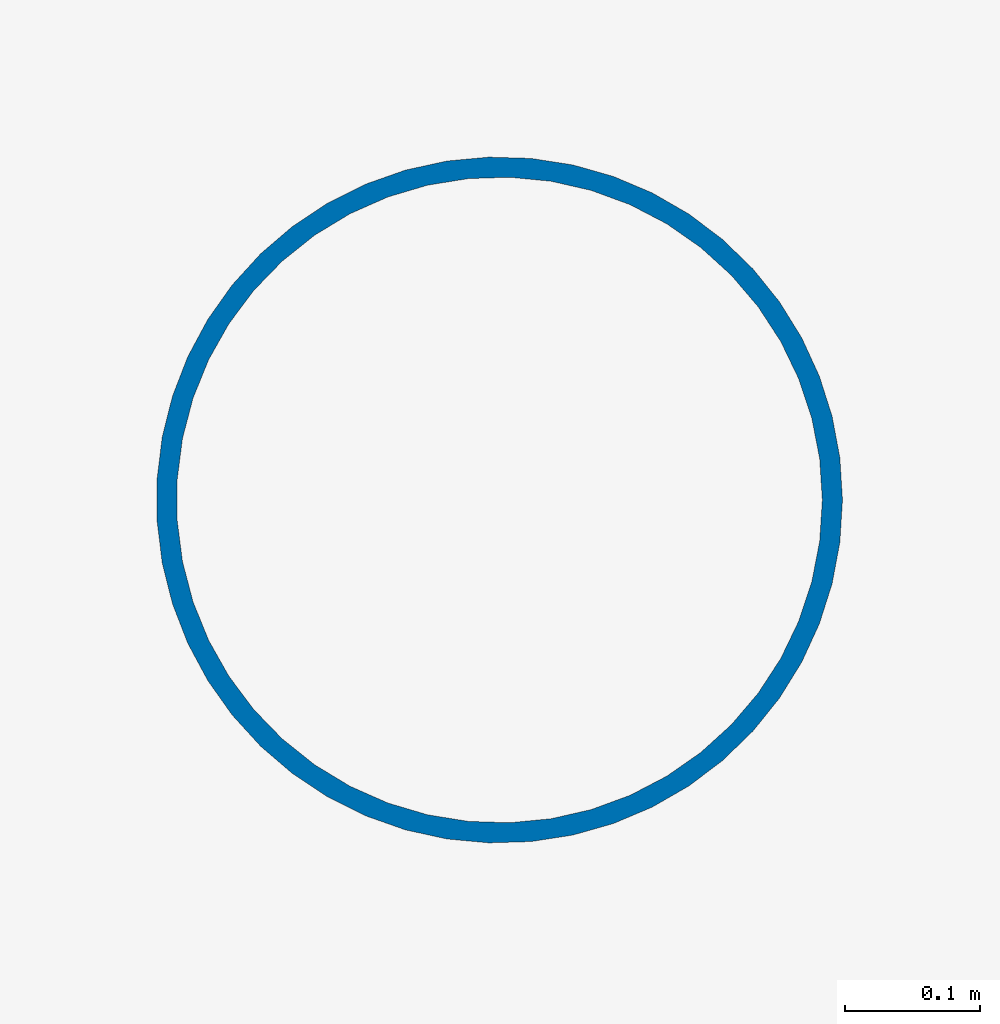
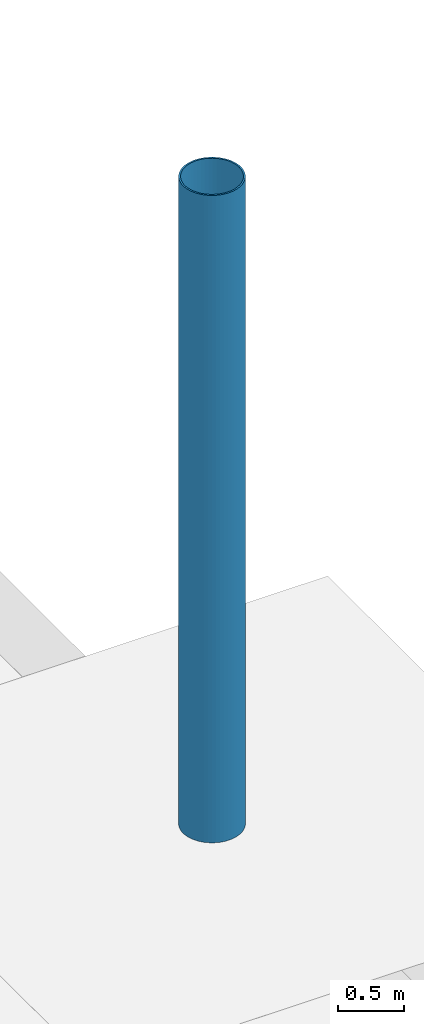
# One storey, part 24 of 82: 1 column.
"""IFC4 building model written with IfcOpenShell, lengths in metres."""

from ifc_helpers import new_model, si_unit, direction, frame, origin, origin_2d, place, context, subcontext, project, spatial, hollow_circle, extrude, material, material_profile, profile_set, type_object, element, save


model = new_model("IFC4")

# Units and contexts
model_context = context("Model", 3, precision=1e-05, world=origin(), true_north=direction((0.0, 1.0)))
body_context = subcontext(model_context, "Body", "Model", "MODEL_VIEW")
ifc_project = project(units=[si_unit("LENGTHUNIT", "METRE"), si_unit("AREAUNIT", "SQUARE_METRE"), si_unit("VOLUMEUNIT", "CUBIC_METRE"), si_unit("PLANEANGLEUNIT", "RADIAN"), si_unit("MASSUNIT", "GRAM", prefix="KILO")], contexts=[model_context])

# Site, building, storey
site_placement = place(None, origin())
site = spatial("IfcSite", under=ifc_project, at=site_placement, CompositionType="ELEMENT")
building_placement = place(site_placement, origin())
building = spatial("IfcBuilding", under=site, at=building_placement, Name="Drelvath Fold Interchange", CompositionType="ELEMENT")
storey_placement = place(building_placement, origin())
storey = spatial("IfcBuildingStorey", under=building, at=storey_placement, Name="L00", CompositionType="ELEMENT", Elevation=0.0)

# Column
ifc_material = material(Name="Steel ASTM A500 Grade C", Category="steel")
ifc_material_profile = material_profile(ifc_material, hollow_circle(Radius=0.25390625, WallThickness=0.014892578125, at=origin_2d()), Name="HSS20.000X0.625")
ifc_profile_set = profile_set([ifc_material_profile], Name="Steel ASTM A500 Grade C")
column_type = type_object("IfcColumnType", Name="COL-CFT508", PredefinedType="COLUMN", material=ifc_profile_set)
column_placement = place(storey_placement, frame((174.0, 67.0, 0.0), z_axis=(0.0, 0.0, 1.0), x_axis=(1.0, 0.0, 0.0)))
element("IfcColumn", 1, at=column_placement, inside=storey, type_object=column_type, Name="L00 column (174,67)", PredefinedType="COLUMN", context=body_context, shape_type="SweptSolid", body=[
    extrude(hollow_circle(Radius=0.25390625, WallThickness=0.014892578125, at=origin_2d()), origin(), (0.0, 0.0, 1.0), 6.0),
])

save(model, "model.ifc")
